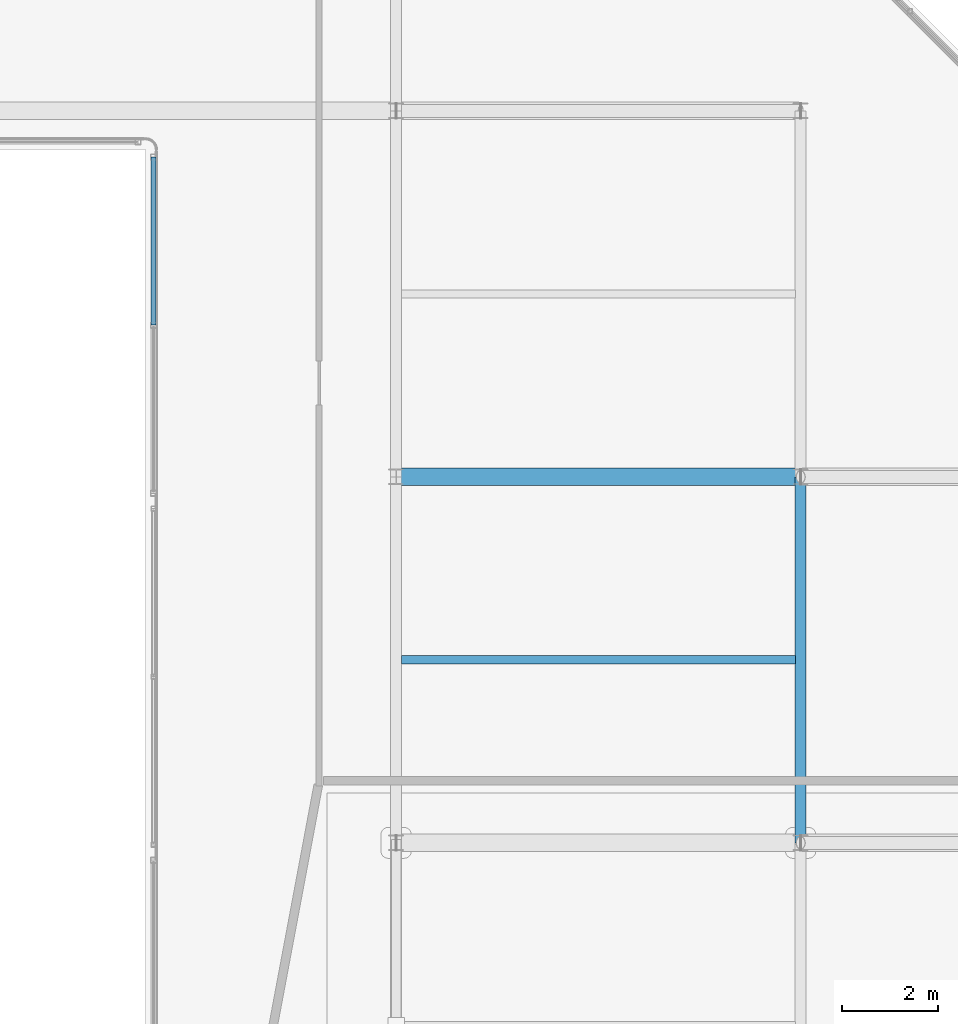
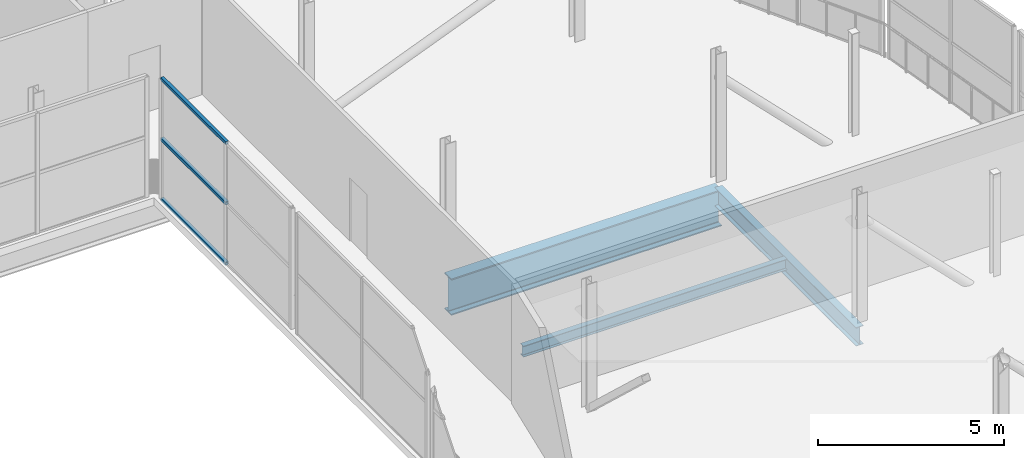
# One storey, part 102 of 151: 3 beams, 3 members, 1 element without a shape of its own.
"""IFC4 building model written with IfcOpenShell, lengths in metres."""

from ifc_helpers import new_model, si_unit, direction, frame, origin, origin_2d, place, context, subcontext, project, spatial, hollow_rectangle, i_section, extrude, material, material_profile, profile_set, type_object, element, aggregate, save


model = new_model("IFC4")

# Units and contexts
model_context = context("Model", 3, precision=1e-05, world=origin(), true_north=direction((0.0, 1.0)))
body_context = subcontext(model_context, "Body", "Model", "MODEL_VIEW")
ifc_project = project(units=[si_unit("LENGTHUNIT", "METRE"), si_unit("AREAUNIT", "SQUARE_METRE"), si_unit("VOLUMEUNIT", "CUBIC_METRE"), si_unit("PLANEANGLEUNIT", "RADIAN"), si_unit("MASSUNIT", "GRAM", prefix="KILO")], contexts=[model_context])

# Site, building, storey
site_placement = place(None, origin())
site = spatial("IfcSite", under=ifc_project, at=site_placement, CompositionType="ELEMENT")
building_placement = place(site_placement, origin())
building = spatial("IfcBuilding", under=site, at=building_placement, Name="Zuvorla Pavilion Media Centre", CompositionType="ELEMENT")
storey_placement = place(building_placement, frame((0.0, 0.0, 13.800048828125)))
storey = spatial("IfcBuildingStorey", under=building, at=storey_placement, Name="L03", CompositionType="ELEMENT", Elevation=13.800048828125)

# Beams
ifc_material_1 = material(Name="Steel S355", Category="steel")
ifc_material_profile_1 = material_profile(ifc_material_1, i_section(OverallWidth=0.360107421875, OverallDepth=1.199951171875, WebThickness=0.02001953125, FlangeThickness=0.0380859375, FilletRadius=0.02392578125, at=origin_2d()), Name="PG 1200x360x38")
ifc_profile_set_1 = profile_set([ifc_material_profile_1], Name="Steel S355")
beam_type_1 = type_object("IfcBeamType", Name="BM-PG1200", PredefinedType="BEAM", material=ifc_profile_set_1)
beam_1_placement = place(storey_placement, frame((159.199951171875, 74.39990234375, -0.858154296875), z_axis=(1.0, 0.0, 0.0), x_axis=(0.0, 1.0, 0.0)))
element("IfcBeam", 1, at=beam_1_placement, inside=storey, type_object=beam_type_1, Name="L03 beam B01 1710", PredefinedType="BEAM", context=body_context, shape_type="SweptSolid", body=[
    extrude(i_section(OverallWidth=0.360107421875, OverallDepth=1.199951171875, WebThickness=0.02001953125, FlangeThickness=0.0380859375, FilletRadius=0.02392578125, at=origin_2d()), origin(), (0.0, 0.0, 1.0), 8.400146484375),
])
ifc_material_profile_2 = material_profile(ifc_material_1, i_section(OverallWidth=0.172119140625, OverallDepth=0.35791015625, WebThickness=0.008056640625, FlangeThickness=0.012939453125, FilletRadius=0.01025390625, at=origin_2d()), Name="UB 356x171x57")
ifc_profile_set_2 = profile_set([ifc_material_profile_2], Name="Steel S355")
beam_type_2 = type_object("IfcBeamType", Name="BM-UB356", PredefinedType="JOIST", material=ifc_profile_set_2)
beam_2_placement = place(storey_placement, frame((159.3095703125, 70.60009765625, -0.43701171875), z_axis=(1.0, 0.0, 0.0), x_axis=(0.0, 1.0, 0.0)))
element("IfcBeam", 2, at=beam_2_placement, inside=storey, type_object=beam_type_2, Name="L03 joist J03 1291", PredefinedType="JOIST", context=body_context, shape_type="SweptSolid", body=[
    extrude(i_section(OverallWidth=0.172119140625, OverallDepth=0.35791015625, WebThickness=0.008056640625, FlangeThickness=0.012939453125, FilletRadius=0.01025390625, at=origin_2d()), origin(), (0.0, 0.0, 1.0), 8.180908203125),
])
ifc_material_profile_3 = material_profile(ifc_material_1, i_section(OverallWidth=0.22900390625, OverallDepth=0.6123046875, WebThickness=0.011962890625, FlangeThickness=0.01953125, FilletRadius=0.0126953125, at=origin_2d()), Name="UB 610x229x125")
ifc_profile_set_3 = profile_set([ifc_material_profile_3], Name="Steel S355")
beam_type_3 = type_object("IfcBeamType", Name="BM-UB610", PredefinedType="BEAM", material=ifc_profile_set_3)
beam_3_placement = place(storey_placement, frame((167.60009765625, 66.800048828125, -0.564208984375), z_axis=(0.0, 1.0, 0.0), x_axis=(-1.0, 0.0, 0.0)))
element("IfcBeam", 3, at=beam_3_placement, inside=storey, type_object=beam_type_3, Name="L03 beam B07 1230", PredefinedType="BEAM", context=body_context, shape_type="SweptSolid", body=[
    extrude(i_section(OverallWidth=0.22900390625, OverallDepth=0.6123046875, WebThickness=0.011962890625, FlangeThickness=0.01953125, FilletRadius=0.0126953125, at=origin_2d()), origin(), (0.0, 0.0, 1.0), 7.599853515625),
])

# Curtain wall, members
ifc_material_2 = material(Name="Unitised anodised aluminium and solar glass curtain wall", Category="aluminium")
curtain_wall_type = type_object("IfcCurtainWallType", Name="CW-SYS-24", PredefinedType="USERDEFINED", material=ifc_material_2)
curtain_wall_placement = place(storey_placement, origin())
curtain_wall = element("IfcCurtainWall", 4, at=curtain_wall_placement, inside=storey, type_object=curtain_wall_type, Name="L03 curtain wall CW24 193", ObjectType="CURTAIN WALL", PredefinedType="USERDEFINED")
ifc_material_3 = material(Name="Anodised aluminium 6063-T6", Category="aluminium")
ifc_material_profile_4 = material_profile(ifc_material_3, hollow_rectangle(XDim=0.10009765625, YDim=0.10009765625, WallThickness=0.00439453125, at=origin_2d()), Name="ALU TRAN 100x100")
ifc_profile_set_4 = profile_set([ifc_material_profile_4], Name="Anodised aluminium 6063-T6")
member_type = type_object("IfcMemberType", Name="CW-TRAN-100", PredefinedType="USERDEFINED", material=ifc_profile_set_4)
member_1_placement = place(storey_placement, frame((154.159912109375, 77.550048828125, 0.0), z_axis=(0.0, 1.0, 0.0), x_axis=(-1.0, 0.0, 0.0)))
member_1 = element("IfcMember", 5, at=member_1_placement, type_object=member_type, Name="CW24 transom 2.1", ObjectType="TRANSOM", PredefinedType="USERDEFINED", context=body_context, shape_type="SweptSolid", body=[
    extrude(hollow_rectangle(XDim=0.10009765625, YDim=0.10009765625, WallThickness=0.00439453125, at=origin_2d()), origin(), (0.0, 0.0, 1.0), 3.489990234375),
])
member_2_placement = place(storey_placement, frame((154.159912109375, 77.550048828125, 1.97998046875), z_axis=(0.0, 1.0, 0.0), x_axis=(-1.0, 0.0, 0.0)))
member_2 = element("IfcMember", 6, at=member_2_placement, type_object=member_type, Name="CW24 transom 2.2", ObjectType="TRANSOM", PredefinedType="USERDEFINED", context=body_context, shape_type="SweptSolid", body=[
    extrude(hollow_rectangle(XDim=0.10009765625, YDim=0.10009765625, WallThickness=0.00439453125, at=origin_2d()), origin(), (0.0, 0.0, 1.0), 3.489990234375),
])
member_3_placement = place(storey_placement, frame((154.159912109375, 77.550048828125, 3.9599609375), z_axis=(0.0, 1.0, 0.0), x_axis=(-1.0, 0.0, 0.0)))
member_3 = element("IfcMember", 7, at=member_3_placement, type_object=member_type, Name="CW24 transom 2.3", ObjectType="TRANSOM", PredefinedType="USERDEFINED", context=body_context, shape_type="SweptSolid", body=[
    extrude(hollow_rectangle(XDim=0.10009765625, YDim=0.10009765625, WallThickness=0.00439453125, at=origin_2d()), origin(), (0.0, 0.0, 1.0), 3.489990234375),
])
aggregate(curtain_wall, [member_1, member_2, member_3])

save(model, "model.ifc")
